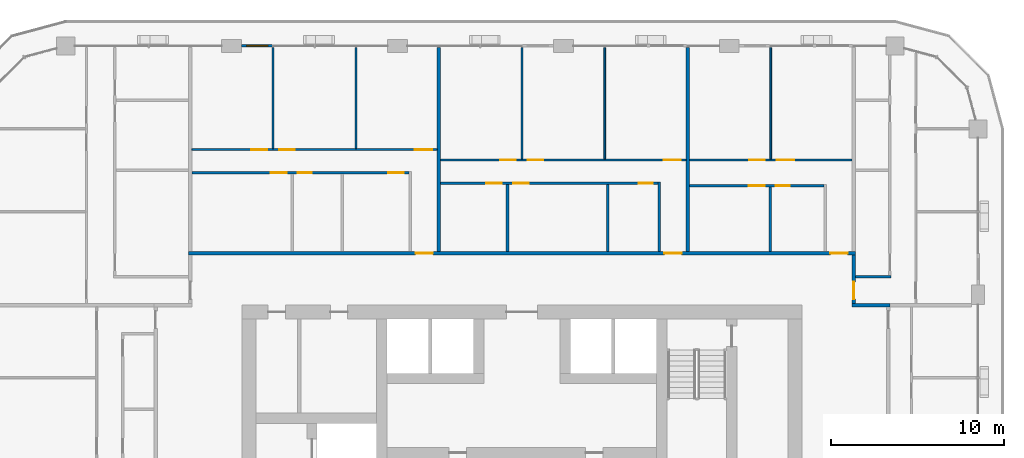
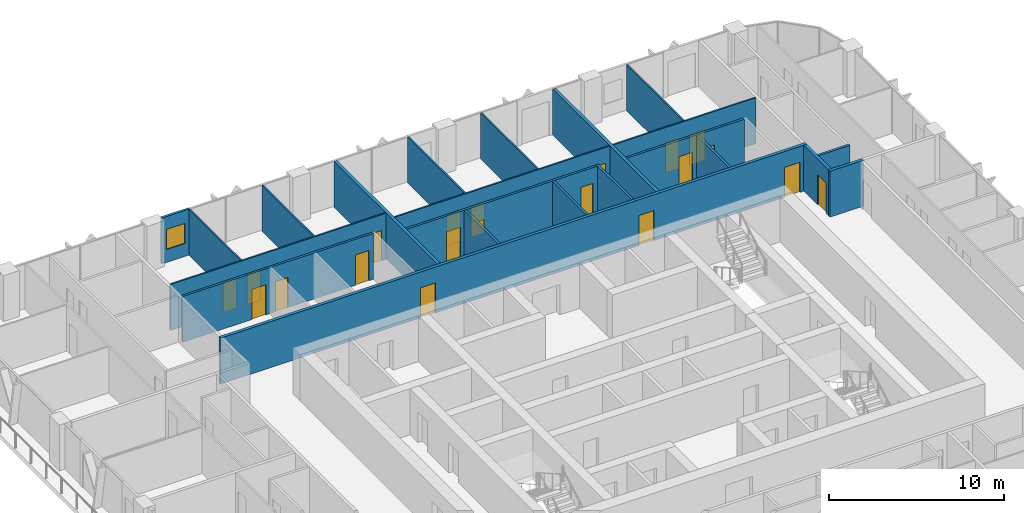
# One storey, part 14 of 22: 22 walls, 20 doors, 1 window, 21 openings.
"""IFC4 building model written with IfcOpenShell, lengths in metres."""

from ifc_helpers import new_model, si_unit, direction, frame, frame_2d, origin, place, context, subcontext, project, spatial, rectangle, extrude, material, layer, layer_set, type_object, element, fill, save


model = new_model("IFC4")

# Units and contexts
model_context = context("Model", 3, precision=1e-05, world=origin(), true_north=direction((0.0, 1.0)))
body_context = subcontext(model_context, "Body", "Model", "MODEL_VIEW")
ifc_project = project(units=[si_unit("LENGTHUNIT", "METRE"), si_unit("AREAUNIT", "SQUARE_METRE"), si_unit("VOLUMEUNIT", "CUBIC_METRE"), si_unit("PLANEANGLEUNIT", "RADIAN"), si_unit("MASSUNIT", "GRAM", prefix="KILO")], contexts=[model_context])

# Site, building, storey
site_placement = place(None, origin())
site = spatial("IfcSite", under=ifc_project, at=site_placement, CompositionType="ELEMENT")
building_placement = place(site_placement, origin())
building = spatial("IfcBuilding", under=site, at=building_placement, Name="Madar Terraces", CompositionType="ELEMENT")
storey_placement = place(building_placement, frame((0.0, 0.0, 119.10009765625)))
storey = spatial("IfcBuildingStorey", under=building, at=storey_placement, Name="L30", CompositionType="ELEMENT", Elevation=119.10009765625)

# Wall, opening, window
ifc_material_1 = material(Name="Aluminium composite panel, black, over insulated backing", Category="aluminium")
ifc_layer_1 = layer(ifc_material_1, 0.14990234375)
ifc_layer_set_1 = layer_set([ifc_layer_1], Name="Facade bay panel 150")
wall_type_1 = type_object("IfcWallType", Name="Facade bay panel 150", PredefinedType="SOLIDWALL", material=ifc_layer_set_1)
wall_1_placement = place(storey_placement, frame((16.800048828125, 52.800048828125, 0.0), z_axis=(0.0, 0.0, 1.0), x_axis=(-1.0, 0.0, 0.0)))
wall_1 = element("IfcWall", 1, at=wall_1_placement, inside=storey, type_object=wall_type_1, Name="Facade bay panel", PredefinedType="SOLIDWALL", context=body_context, shape_type="SweptSolid", body=[
    extrude(rectangle(XDim=1.824951171875, YDim=0.14990234375, at=frame_2d((0.91259765625, 0.0))), origin(), (0.0, 0.0, 1.0), 3.199951171875),
])
opening_1_placement = place(wall_1_placement, frame((0.3125, 0.0, 0.89990234375)))
opening_1 = element("IfcOpeningElement", 2, at=opening_1_placement, cuts=wall_1, Name="Opening W1", PredefinedType="OPENING", context=body_context, shape_type="SweptSolid", body=[
    extrude(rectangle(XDim=1.199951171875, YDim=1.39990234375, at=frame_2d((0.60009765625, 0.699951171875))), frame((0.0, 0.0849609375, 0.0), z_axis=(0.0, -1.0, 0.0), x_axis=(1.0, 0.0, 0.0)), (0.0, 0.0, 1.0), 0.169921875),
])
ifc_material_2 = material(Name="Glass, clear, with black aluminium frame", Category="aluminium")
window_type = type_object("IfcWindowType", Name="Vent window 1200 x 1400", PartitioningType="SINGLE_PANEL", PredefinedType="WINDOW", material=ifc_material_2)
window_placement = place(opening_1_placement, origin())
window = element("IfcWindow", 3, at=window_placement, inside=storey, type_object=window_type, Name="Operable vent window", OverallHeight=1.39990234375, OverallWidth=1.199951171875, PartitioningType="SINGLE_PANEL", PredefinedType="WINDOW", context=body_context, shape_type="SweptSolid", body=[
    extrude(rectangle(XDim=1.199951171875, YDim=1.39990234375, at=frame_2d((0.60009765625, 0.699951171875))), frame((0.0, 0.030029296875, 0.0), z_axis=(0.0, -1.0, 0.0), x_axis=(1.0, 0.0, 0.0)), (0.0, 0.0, 1.0), 0.06005859375),
])
fill(opening_1, window)

# Wall
ifc_material_3 = material(Name="Gypsum board on steel studs", Category="steel")
ifc_layer_2 = layer(ifc_material_3, 0.10009765625)
ifc_layer_set_2 = layer_set([ifc_layer_2], Name="Flat partition 100")
wall_type_2 = type_object("IfcWallType", Name="Flat partition 100", PredefinedType="PARTITIONING", material=ifc_layer_set_2)
wall_2_placement = place(storey_placement, frame((45.60009765625, 46.25, 0.0), z_axis=(0.0, 0.0, 1.0), x_axis=(0.0, 1.0, 0.0)))
element("IfcWall", 4, at=wall_2_placement, inside=storey, type_object=wall_type_2, Name="Flat partition 100", PredefinedType="PARTITIONING", context=body_context, shape_type="SweptSolid", body=[
    extrude(rectangle(XDim=6.449951171875, YDim=0.10009765625, at=frame_2d((3.22509765625, 0.0))), origin(), (0.0, 0.0, 1.0), 3.199951171875),
])

# Wall, openings, doors
wall_3_placement = place(storey_placement, frame((40.89990234375, 46.199951171875, 0.0), z_axis=(0.0, 0.0, 1.0), x_axis=(1.0, 0.0, 0.0)))
wall_3 = element("IfcWall", 5, at=wall_3_placement, inside=storey, type_object=wall_type_2, Name="Flat partition 100", PredefinedType="PARTITIONING", context=body_context, shape_type="SweptSolid", body=[
    extrude(rectangle(XDim=9.400146484375, YDim=0.10009765625, at=frame_2d((4.7001953125, 0.0))), origin(), (0.0, 0.0, 1.0), 3.199951171875),
])
opening_2_placement = place(wall_3_placement, frame((5.050048828125, 0.0, 0.0)))
opening_2 = element("IfcOpeningElement", 6, at=opening_2_placement, cuts=wall_3, Name="Opening D3", PredefinedType="OPENING", context=body_context, shape_type="SweptSolid", body=[
    extrude(rectangle(XDim=1.0, YDim=2.10009765625, at=frame_2d((0.5, 1.050048828125))), frame((0.0, 0.06005859375, 0.0), z_axis=(0.0, -1.0, 0.0), x_axis=(1.0, 0.0, 0.0)), (0.0, 0.0, 1.0), 0.1201171875),
])
opening_3_placement = place(wall_3_placement, frame((3.449951171875, 0.0, 0.0)))
opening_3 = element("IfcOpeningElement", 7, at=opening_3_placement, cuts=wall_3, Name="Opening D2", PredefinedType="OPENING", context=body_context, shape_type="SweptSolid", body=[
    extrude(rectangle(XDim=0.89990234375, YDim=2.10009765625, at=frame_2d((0.449951171875, 1.050048828125))), frame((0.0, 0.06005859375, 0.0), z_axis=(0.0, -1.0, 0.0), x_axis=(1.0, 0.0, 0.0)), (0.0, 0.0, 1.0), 0.1201171875),
])
ifc_material_4 = material(Name="Timber door leaf", Category="wood")
door_type_1 = type_object("IfcDoorType", Name="Flat living room door 1000", OperationType="NOTDEFINED", PredefinedType="DOOR", material=ifc_material_4)
door_1_placement = place(opening_2_placement, origin())
door_1 = element("IfcDoor", 8, at=door_1_placement, inside=storey, type_object=door_type_1, Name="Flat living room door 1000", OperationType="SINGLE_SWING_LEFT", OverallHeight=2.10009765625, OverallWidth=1.0, PredefinedType="DOOR", context=body_context, shape_type="SweptSolid", body=[
    extrude(rectangle(XDim=1.0, YDim=2.10009765625, at=frame_2d((0.5, 1.050048828125))), frame((0.0, 0.02490234375, 0.0), z_axis=(0.0, -1.0, 0.0), x_axis=(1.0, 0.0, 0.0)), (0.0, 0.0, 1.0), 0.050048828125),
])
fill(opening_2, door_1)
ifc_material_5 = material(Name="Timber door leaf", Category="wood")
door_type_2 = type_object("IfcDoorType", Name="Flat room door 900", OperationType="NOTDEFINED", PredefinedType="DOOR", material=ifc_material_5)
door_2_placement = place(opening_3_placement, origin())
door_2 = element("IfcDoor", 9, at=door_2_placement, inside=storey, type_object=door_type_2, Name="Flat room door 900", OperationType="SINGLE_SWING_RIGHT", OverallHeight=2.10009765625, OverallWidth=0.89990234375, PredefinedType="DOOR", context=body_context, shape_type="SweptSolid", body=[
    extrude(rectangle(XDim=0.89990234375, YDim=2.10009765625, at=frame_2d((0.449951171875, 1.050048828125))), frame((0.0, 0.02490234375, 0.0), z_axis=(0.0, -1.0, 0.0), x_axis=(1.0, 0.0, 0.0)), (0.0, 0.0, 1.0), 0.050048828125),
])
fill(opening_3, door_2)

# Walls
for number, where, z_axis, x_axis, name in (
    (10, (36.0, 46.25, 0.0), (0.0, 0.0, 1.0), (0.0, 1.0, 0.0), "Flat partition 100"),
    (11, (31.199951171875, 46.25, 0.0), (0.0, 0.0, 1.0), (0.0, 1.0, 0.0), "Flat partition 100"),
):
    element("IfcWall", number, at=place(storey_placement, frame(where, z_axis=z_axis, x_axis=x_axis)), inside=storey, type_object=wall_type_2, Name=name, PredefinedType="PARTITIONING", context=body_context, shape_type="SweptSolid", body=[
        extrude(rectangle(XDim=6.449951171875, YDim=0.10009765625, at=frame_2d((3.22509765625, 0.0))), origin(), (0.0, 0.0, 1.0), 3.199951171875),
    ])

# Wall, openings, doors
wall_4_placement = place(storey_placement, frame((26.5, 46.199951171875, 0.0), z_axis=(0.0, 0.0, 1.0), x_axis=(1.0, 0.0, 0.0)))
wall_4 = element("IfcWall", 12, at=wall_4_placement, inside=storey, type_object=wall_type_2, Name="Flat partition 100", PredefinedType="PARTITIONING", context=body_context, shape_type="SweptSolid", body=[
    extrude(rectangle(XDim=14.199951171875, YDim=0.10009765625, at=frame_2d((7.10009765625, 0.0))), origin(), (0.0, 0.0, 1.0), 3.199951171875),
])
opening_4_placement = place(wall_4_placement, frame((12.89990234375, 0.0, 0.0)))
opening_4 = element("IfcOpeningElement", 13, at=opening_4_placement, cuts=wall_4, Name="Opening D3", PredefinedType="OPENING", context=body_context, shape_type="SweptSolid", body=[
    extrude(rectangle(XDim=1.0, YDim=2.10009765625, at=frame_2d((0.5, 1.050048828125))), frame((0.0, 0.06005859375, 0.0), z_axis=(0.0, -1.0, 0.0), x_axis=(1.0, 0.0, 0.0)), (0.0, 0.0, 1.0), 0.1201171875),
])
opening_5_placement = place(wall_4_placement, frame((5.050048828125, 0.0, 0.0)))
opening_5 = element("IfcOpeningElement", 14, at=opening_5_placement, cuts=wall_4, Name="Opening D2", PredefinedType="OPENING", context=body_context, shape_type="SweptSolid", body=[
    extrude(rectangle(XDim=0.89990234375, YDim=2.10009765625, at=frame_2d((0.449951171875, 1.050048828125))), frame((0.0, 0.06005859375, 0.0), z_axis=(0.0, -1.0, 0.0), x_axis=(1.0, 0.0, 0.0)), (0.0, 0.0, 1.0), 0.1201171875),
])
opening_6_placement = place(wall_4_placement, frame((3.449951171875, 0.0, 0.0)))
opening_6 = element("IfcOpeningElement", 15, at=opening_6_placement, cuts=wall_4, Name="Opening D2", PredefinedType="OPENING", context=body_context, shape_type="SweptSolid", body=[
    extrude(rectangle(XDim=0.89990234375, YDim=2.10009765625, at=frame_2d((0.449951171875, 1.050048828125))), frame((0.0, 0.06005859375, 0.0), z_axis=(0.0, -1.0, 0.0), x_axis=(1.0, 0.0, 0.0)), (0.0, 0.0, 1.0), 0.1201171875),
])
door_3_placement = place(opening_4_placement, origin())
door_3 = element("IfcDoor", 16, at=door_3_placement, inside=storey, type_object=door_type_1, Name="Flat living room door 1000", OperationType="SINGLE_SWING_RIGHT", OverallHeight=2.10009765625, OverallWidth=1.0, PredefinedType="DOOR", context=body_context, shape_type="SweptSolid", body=[
    extrude(rectangle(XDim=1.0, YDim=2.10009765625, at=frame_2d((0.5, 1.050048828125))), frame((0.0, 0.02490234375, 0.0), z_axis=(0.0, -1.0, 0.0), x_axis=(1.0, 0.0, 0.0)), (0.0, 0.0, 1.0), 0.050048828125),
])
fill(opening_4, door_3)
door_4_placement = place(opening_5_placement, origin())
door_4 = element("IfcDoor", 17, at=door_4_placement, inside=storey, type_object=door_type_2, Name="Flat room door 900", OperationType="SINGLE_SWING_LEFT", OverallHeight=2.10009765625, OverallWidth=0.89990234375, PredefinedType="DOOR", context=body_context, shape_type="SweptSolid", body=[
    extrude(rectangle(XDim=0.89990234375, YDim=2.10009765625, at=frame_2d((0.449951171875, 1.050048828125))), frame((0.0, 0.02490234375, 0.0), z_axis=(0.0, -1.0, 0.0), x_axis=(1.0, 0.0, 0.0)), (0.0, 0.0, 1.0), 0.050048828125),
])
fill(opening_5, door_4)
door_5_placement = place(opening_6_placement, origin())
door_5 = element("IfcDoor", 18, at=door_5_placement, inside=storey, type_object=door_type_2, Name="Flat room door 900", OperationType="SINGLE_SWING_RIGHT", OverallHeight=2.10009765625, OverallWidth=0.89990234375, PredefinedType="DOOR", context=body_context, shape_type="SweptSolid", body=[
    extrude(rectangle(XDim=0.89990234375, YDim=2.10009765625, at=frame_2d((0.449951171875, 1.050048828125))), frame((0.0, 0.02490234375, 0.0), z_axis=(0.0, -1.0, 0.0), x_axis=(1.0, 0.0, 0.0)), (0.0, 0.0, 1.0), 0.050048828125),
])
fill(opening_6, door_5)

# Walls
for number, where, z_axis, x_axis, name in (
    (19, (21.60009765625, 46.85009765625, 0.0), (0.0, 0.0, 1.0), (0.0, 1.0, 0.0), "Flat partition 100"),
    (20, (16.800048828125, 46.85009765625, 0.0), (0.0, 0.0, 1.0), (0.0, 1.0, 0.0), "Flat partition 100"),
):
    element("IfcWall", number, at=place(storey_placement, frame(where, z_axis=z_axis, x_axis=x_axis)), inside=storey, type_object=wall_type_2, Name=name, PredefinedType="PARTITIONING", context=body_context, shape_type="SweptSolid", body=[
        extrude(rectangle(XDim=5.849853515625, YDim=0.10009765625, at=frame_2d((2.9248046875, 0.0))), origin(), (0.0, 0.0, 1.0), 3.199951171875),
    ])

# Wall, openings, doors
wall_5_placement = place(storey_placement, frame((12.10009765625, 46.800048828125, 0.0), z_axis=(0.0, 0.0, 1.0), x_axis=(1.0, 0.0, 0.0)))
wall_5 = element("IfcWall", 21, at=wall_5_placement, inside=storey, type_object=wall_type_2, Name="Flat partition 100", PredefinedType="PARTITIONING", context=body_context, shape_type="SweptSolid", body=[
    extrude(rectangle(XDim=14.199951171875, YDim=0.10009765625, at=frame_2d((7.10009765625, 0.0))), origin(), (0.0, 0.0, 1.0), 3.199951171875),
])
opening_7_placement = place(wall_5_placement, frame((12.89990234375, 0.0, 0.0)))
opening_7 = element("IfcOpeningElement", 22, at=opening_7_placement, cuts=wall_5, Name="Opening D3", PredefinedType="OPENING", context=body_context, shape_type="SweptSolid", body=[
    extrude(rectangle(XDim=1.0, YDim=2.10009765625, at=frame_2d((0.5, 1.050048828125))), frame((0.0, 0.06005859375, 0.0), z_axis=(0.0, -1.0, 0.0), x_axis=(1.0, 0.0, 0.0)), (0.0, 0.0, 1.0), 0.1201171875),
])
opening_8_placement = place(wall_5_placement, frame((5.050048828125, 0.0, 0.0)))
opening_8 = element("IfcOpeningElement", 23, at=opening_8_placement, cuts=wall_5, Name="Opening D2", PredefinedType="OPENING", context=body_context, shape_type="SweptSolid", body=[
    extrude(rectangle(XDim=0.89990234375, YDim=2.10009765625, at=frame_2d((0.449951171875, 1.050048828125))), frame((0.0, 0.06005859375, 0.0), z_axis=(0.0, -1.0, 0.0), x_axis=(1.0, 0.0, 0.0)), (0.0, 0.0, 1.0), 0.1201171875),
])
opening_9_placement = place(wall_5_placement, frame((3.449951171875, 0.0, 0.0)))
opening_9 = element("IfcOpeningElement", 24, at=opening_9_placement, cuts=wall_5, Name="Opening D2", PredefinedType="OPENING", context=body_context, shape_type="SweptSolid", body=[
    extrude(rectangle(XDim=0.89990234375, YDim=2.10009765625, at=frame_2d((0.449951171875, 1.050048828125))), frame((0.0, 0.06005859375, 0.0), z_axis=(0.0, -1.0, 0.0), x_axis=(1.0, 0.0, 0.0)), (0.0, 0.0, 1.0), 0.1201171875),
])
door_6_placement = place(opening_7_placement, origin())
door_6 = element("IfcDoor", 25, at=door_6_placement, inside=storey, type_object=door_type_1, Name="Flat living room door 1000", OperationType="SINGLE_SWING_RIGHT", OverallHeight=2.10009765625, OverallWidth=1.0, PredefinedType="DOOR", context=body_context, shape_type="SweptSolid", body=[
    extrude(rectangle(XDim=1.0, YDim=2.10009765625, at=frame_2d((0.5, 1.050048828125))), frame((0.0, 0.02490234375, 0.0), z_axis=(0.0, -1.0, 0.0), x_axis=(1.0, 0.0, 0.0)), (0.0, 0.0, 1.0), 0.050048828125),
])
fill(opening_7, door_6)
door_7_placement = place(opening_8_placement, origin())
door_7 = element("IfcDoor", 26, at=door_7_placement, inside=storey, type_object=door_type_2, Name="Flat room door 900", OperationType="SINGLE_SWING_LEFT", OverallHeight=2.10009765625, OverallWidth=0.89990234375, PredefinedType="DOOR", context=body_context, shape_type="SweptSolid", body=[
    extrude(rectangle(XDim=0.89990234375, YDim=2.10009765625, at=frame_2d((0.449951171875, 1.050048828125))), frame((0.0, 0.02490234375, 0.0), z_axis=(0.0, -1.0, 0.0), x_axis=(1.0, 0.0, 0.0)), (0.0, 0.0, 1.0), 0.050048828125),
])
fill(opening_8, door_7)
door_8_placement = place(opening_9_placement, origin())
door_8 = element("IfcDoor", 27, at=door_8_placement, inside=storey, type_object=door_type_2, Name="Flat room door 900", OperationType="SINGLE_SWING_RIGHT", OverallHeight=2.10009765625, OverallWidth=0.89990234375, PredefinedType="DOOR", context=body_context, shape_type="SweptSolid", body=[
    extrude(rectangle(XDim=0.89990234375, YDim=2.10009765625, at=frame_2d((0.449951171875, 1.050048828125))), frame((0.0, 0.02490234375, 0.0), z_axis=(0.0, -1.0, 0.0), x_axis=(1.0, 0.0, 0.0)), (0.0, 0.0, 1.0), 0.050048828125),
])
fill(opening_9, door_8)

# Wall
ifc_material_6 = material(Name="Lightweight blockwork", Category="masonry")
ifc_layer_3 = layer(ifc_material_6, 0.199951171875)
ifc_layer_set_3 = layer_set([ifc_layer_3], Name="Flat party and entrance wall 200")
wall_type_3 = type_object("IfcWallType", Name="Flat party and entrance wall 200", PredefinedType="PARTITIONING", material=ifc_layer_set_3)
wall_6_placement = place(storey_placement, frame((52.5, 37.800048828125, 0.0), z_axis=(0.0, 0.0, 1.0), x_axis=(-1.0, 0.0, 0.0)))
element("IfcWall", 28, at=wall_6_placement, inside=storey, type_object=wall_type_3, Name="Flat party and entrance wall 200", PredefinedType="PARTITIONING", context=body_context, shape_type="SweptSolid", body=[
    extrude(rectangle(XDim=2.199951171875, YDim=0.199951171875, at=frame_2d((1.10009765625, 0.0))), origin(), (0.0, 0.0, 1.0), 3.199951171875),
])

# Wall, opening, door
wall_7_placement = place(storey_placement, frame((50.39990234375, 40.699951171875, 0.0), z_axis=(0.0, 0.0, 1.0), x_axis=(0.0, -1.0, 0.0)))
wall_7 = element("IfcWall", 29, at=wall_7_placement, inside=storey, type_object=wall_type_3, Name="Flat party and entrance wall 200", PredefinedType="PARTITIONING", context=body_context, shape_type="SweptSolid", body=[
    extrude(rectangle(XDim=2.800048828125, YDim=0.199951171875, at=frame_2d((1.39990234375, 0.0))), origin(), (0.0, 0.0, 1.0), 3.199951171875),
])
opening_10_placement = place(wall_7_placement, frame((1.550048828125, 0.0, 0.0)))
opening_10 = element("IfcOpeningElement", 30, at=opening_10_placement, cuts=wall_7, Name="Opening D1", PredefinedType="OPENING", context=body_context, shape_type="SweptSolid", body=[
    extrude(rectangle(XDim=1.0, YDim=2.10009765625, at=frame_2d((0.5, 1.050048828125))), frame((0.0, 0.10986328125, 0.0), z_axis=(0.0, -1.0, 0.0), x_axis=(1.0, 0.0, 0.0)), (0.0, 0.0, 1.0), 0.219970703125),
])
ifc_material_7 = material(Name="Timber fire door leaf", Category="wood")
door_type_3 = type_object("IfcDoorType", Name="Flat entrance door 1000 FD30S", OperationType="NOTDEFINED", PredefinedType="DOOR", material=ifc_material_7)
door_9_placement = place(opening_10_placement, origin())
door_9 = element("IfcDoor", 31, at=door_9_placement, inside=storey, type_object=door_type_3, Name="Flat entrance door 1000 FD30S", OperationType="SINGLE_SWING_RIGHT", OverallHeight=2.10009765625, OverallWidth=1.0, PredefinedType="DOOR", context=body_context, shape_type="SweptSolid", body=[
    extrude(rectangle(XDim=1.0, YDim=2.10009765625, at=frame_2d((0.5, 1.050048828125))), frame((0.0, 0.02490234375, 0.0), z_axis=(0.0, -1.0, 0.0), x_axis=(1.0, 0.0, 0.0)), (0.0, 0.0, 1.0), 0.050048828125),
])
fill(opening_10, door_9)

# Wall, openings, doors
wall_8_placement = place(storey_placement, frame((11.89990234375, 40.800048828125, 0.0), z_axis=(0.0, 0.0, 1.0), x_axis=(1.0, 0.0, 0.0)))
wall_8 = element("IfcWall", 32, at=wall_8_placement, inside=storey, type_object=wall_type_3, Name="Flat party and entrance wall 200", PredefinedType="PARTITIONING", context=body_context, shape_type="SweptSolid", body=[
    extrude(rectangle(XDim=38.60009765625, YDim=0.199951171875, at=frame_2d((19.300048828125, 0.0))), origin(), (0.0, 0.0, 1.0), 3.199951171875),
])
opening_11_placement = place(wall_8_placement, frame((37.14990234375, 0.0, 0.0)))
opening_11 = element("IfcOpeningElement", 33, at=opening_11_placement, cuts=wall_8, Name="Opening D1", PredefinedType="OPENING", context=body_context, shape_type="SweptSolid", body=[
    extrude(rectangle(XDim=1.0, YDim=2.10009765625, at=frame_2d((0.5, 1.050048828125))), frame((0.0, 0.10986328125, 0.0), z_axis=(0.0, -1.0, 0.0), x_axis=(1.0, 0.0, 0.0)), (0.0, 0.0, 1.0), 0.219970703125),
])
opening_12_placement = place(wall_8_placement, frame((27.550048828125, 0.0, 0.0)))
opening_12 = element("IfcOpeningElement", 34, at=opening_12_placement, cuts=wall_8, Name="Opening D1", PredefinedType="OPENING", context=body_context, shape_type="SweptSolid", body=[
    extrude(rectangle(XDim=1.0, YDim=2.10009765625, at=frame_2d((0.5, 1.050048828125))), frame((0.0, 0.10986328125, 0.0), z_axis=(0.0, -1.0, 0.0), x_axis=(1.0, 0.0, 0.0)), (0.0, 0.0, 1.0), 0.219970703125),
])
opening_13_placement = place(wall_8_placement, frame((13.14990234375, 0.0, 0.0)))
opening_13 = element("IfcOpeningElement", 35, at=opening_13_placement, cuts=wall_8, Name="Opening D1", PredefinedType="OPENING", context=body_context, shape_type="SweptSolid", body=[
    extrude(rectangle(XDim=1.0, YDim=2.10009765625, at=frame_2d((0.5, 1.050048828125))), frame((0.0, 0.10986328125, 0.0), z_axis=(0.0, -1.0, 0.0), x_axis=(1.0, 0.0, 0.0)), (0.0, 0.0, 1.0), 0.219970703125),
])
door_10_placement = place(opening_11_placement, origin())
door_10 = element("IfcDoor", 36, at=door_10_placement, inside=storey, type_object=door_type_3, Name="Flat entrance door 1000 FD30S", OperationType="SINGLE_SWING_RIGHT", OverallHeight=2.10009765625, OverallWidth=1.0, PredefinedType="DOOR", context=body_context, shape_type="SweptSolid", body=[
    extrude(rectangle(XDim=1.0, YDim=2.10009765625, at=frame_2d((0.5, 1.050048828125))), frame((0.0, 0.02490234375, 0.0), z_axis=(0.0, -1.0, 0.0), x_axis=(1.0, 0.0, 0.0)), (0.0, 0.0, 1.0), 0.050048828125),
])
fill(opening_11, door_10)
door_11_placement = place(opening_12_placement, origin())
door_11 = element("IfcDoor", 37, at=door_11_placement, inside=storey, type_object=door_type_3, Name="Flat entrance door 1000 FD30S", OperationType="SINGLE_SWING_RIGHT", OverallHeight=2.10009765625, OverallWidth=1.0, PredefinedType="DOOR", context=body_context, shape_type="SweptSolid", body=[
    extrude(rectangle(XDim=1.0, YDim=2.10009765625, at=frame_2d((0.5, 1.050048828125))), frame((0.0, 0.02490234375, 0.0), z_axis=(0.0, -1.0, 0.0), x_axis=(1.0, 0.0, 0.0)), (0.0, 0.0, 1.0), 0.050048828125),
])
fill(opening_12, door_11)
door_12_placement = place(opening_13_placement, origin())
door_12 = element("IfcDoor", 38, at=door_12_placement, inside=storey, type_object=door_type_3, Name="Flat entrance door 1000 FD30S", OperationType="SINGLE_SWING_RIGHT", OverallHeight=2.10009765625, OverallWidth=1.0, PredefinedType="DOOR", context=body_context, shape_type="SweptSolid", body=[
    extrude(rectangle(XDim=1.0, YDim=2.10009765625, at=frame_2d((0.5, 1.050048828125))), frame((0.0, 0.02490234375, 0.0), z_axis=(0.0, -1.0, 0.0), x_axis=(1.0, 0.0, 0.0)), (0.0, 0.0, 1.0), 0.050048828125),
])
fill(opening_13, door_12)

# Walls
for number, where, z_axis, x_axis, name in (
    (39, (40.800048828125, 52.699951171875, 0.0), (0.0, 0.0, 1.0), (0.0, -1.0, 0.0), "Flat party and entrance wall 200"),
    (40, (26.39990234375, 52.699951171875, 0.0), (0.0, 0.0, 1.0), (0.0, -1.0, 0.0), "Flat party and entrance wall 200"),
):
    element("IfcWall", number, at=place(storey_placement, frame(where, z_axis=z_axis, x_axis=x_axis)), inside=storey, type_object=wall_type_3, Name=name, PredefinedType="PARTITIONING", context=body_context, shape_type="SweptSolid", body=[
        extrude(rectangle(XDim=11.800048828125, YDim=0.199951171875, at=frame_2d((5.89990234375, 0.0))), origin(), (0.0, 0.0, 1.0), 3.199951171875),
    ])
ifc_material_8 = material(Name="Lightweight blockwork", Category="masonry")
ifc_layer_4 = layer(ifc_material_8, 0.14990234375)
ifc_layer_set_4 = layer_set([ifc_layer_4], Name="Flat wet-room partition 150")
wall_type_4 = type_object("IfcWallType", Name="Flat wet-room partition 150", PredefinedType="PARTITIONING", material=ifc_layer_set_4)
wall_9_placement = place(storey_placement, frame((50.5, 39.449951171875, 0.0), z_axis=(0.0, 0.0, 1.0), x_axis=(1.0, 0.0, 0.0)))
element("IfcWall", 41, at=wall_9_placement, inside=storey, type_object=wall_type_4, Name="Flat wet-room partition 150", PredefinedType="PARTITIONING", context=body_context, shape_type="SweptSolid", body=[
    extrude(rectangle(XDim=2.074951171875, YDim=0.14990234375, at=frame_2d((1.03759765625, 0.0))), origin(), (0.0, 0.0, 1.0), 3.199951171875),
])
wall_10_placement = place(storey_placement, frame((45.56494140625, 40.89990234375, 0.0), z_axis=(0.0, 0.0, 1.0), x_axis=(0.0, 1.0, 0.0)))
element("IfcWall", 42, at=wall_10_placement, inside=storey, type_object=wall_type_4, Name="Flat wet-room partition 150", PredefinedType="PARTITIONING", context=body_context, shape_type="SweptSolid", body=[
    extrude(rectangle(XDim=3.72509765625, YDim=0.14990234375, at=frame_2d((1.862548828125, 0.0))), origin(), (0.0, 0.0, 1.0), 3.199951171875),
])

# Wall, openings, doors
wall_11_placement = place(storey_placement, frame((48.675048828125, 44.699951171875, 0.0), z_axis=(0.0, 0.0, 1.0), x_axis=(-1.0, 0.0, 0.0)))
wall_11 = element("IfcWall", 43, at=wall_11_placement, inside=storey, type_object=wall_type_4, Name="Flat wet-room partition 150", PredefinedType="PARTITIONING", context=body_context, shape_type="SweptSolid", body=[
    extrude(rectangle(XDim=7.775146484375, YDim=0.14990234375, at=frame_2d((3.8876953125, 0.0))), origin(), (0.0, 0.0, 1.0), 3.199951171875),
])
opening_14_placement = place(wall_11_placement, frame((1.985107421875, 0.0, 0.0)))
opening_14 = element("IfcOpeningElement", 44, at=opening_14_placement, cuts=wall_11, Name="Opening D4", PredefinedType="OPENING", context=body_context, shape_type="SweptSolid", body=[
    extrude(rectangle(XDim=0.800048828125, YDim=2.10009765625, at=frame_2d((0.39990234375, 1.050048828125))), frame((0.0, 0.0849609375, 0.0), z_axis=(0.0, -1.0, 0.0), x_axis=(1.0, 0.0, 0.0)), (0.0, 0.0, 1.0), 0.169921875),
])
opening_15_placement = place(wall_11_placement, frame((3.43505859375, 0.0, 0.0)))
opening_15 = element("IfcOpeningElement", 45, at=opening_15_placement, cuts=wall_11, Name="Opening D2", PredefinedType="OPENING", context=body_context, shape_type="SweptSolid", body=[
    extrude(rectangle(XDim=0.89990234375, YDim=2.10009765625, at=frame_2d((0.449951171875, 1.050048828125))), frame((0.0, 0.0849609375, 0.0), z_axis=(0.0, -1.0, 0.0), x_axis=(1.0, 0.0, 0.0)), (0.0, 0.0, 1.0), 0.169921875),
])
ifc_material_9 = material(Name="Timber door leaf", Category="wood")
door_type_4 = type_object("IfcDoorType", Name="Flat bathroom door 800", OperationType="NOTDEFINED", PredefinedType="DOOR", material=ifc_material_9)
door_13_placement = place(opening_14_placement, origin())
door_13 = element("IfcDoor", 46, at=door_13_placement, inside=storey, type_object=door_type_4, Name="Flat bathroom door 800", OperationType="SINGLE_SWING_RIGHT", OverallHeight=2.10009765625, OverallWidth=0.800048828125, PredefinedType="DOOR", context=body_context, shape_type="SweptSolid", body=[
    extrude(rectangle(XDim=0.800048828125, YDim=2.10009765625, at=frame_2d((0.39990234375, 1.050048828125))), frame((0.0, 0.02490234375, 0.0), z_axis=(0.0, -1.0, 0.0), x_axis=(1.0, 0.0, 0.0)), (0.0, 0.0, 1.0), 0.050048828125),
])
fill(opening_14, door_13)
door_14_placement = place(opening_15_placement, origin())
door_14 = element("IfcDoor", 47, at=door_14_placement, inside=storey, type_object=door_type_2, Name="Flat room door 900", OperationType="SINGLE_SWING_LEFT", OverallHeight=2.10009765625, OverallWidth=0.89990234375, PredefinedType="DOOR", context=body_context, shape_type="SweptSolid", body=[
    extrude(rectangle(XDim=0.89990234375, YDim=2.10009765625, at=frame_2d((0.449951171875, 1.050048828125))), frame((0.0, 0.02490234375, 0.0), z_axis=(0.0, -1.0, 0.0), x_axis=(1.0, 0.0, 0.0)), (0.0, 0.0, 1.0), 0.050048828125),
])
fill(opening_15, door_14)

# Walls
for number, where, z_axis, x_axis, name in (
    (48, (36.173095703125, 40.89990234375, 0.0), (0.0, 0.0, 1.0), (0.0, 1.0, 0.0), "Flat wet-room partition 150"),
    (49, (30.369384765625, 40.89990234375, 0.0), (0.0, 0.0, 1.0), (0.0, 1.0, 0.0), "Flat wet-room partition 150"),
):
    element("IfcWall", number, at=place(storey_placement, frame(where, z_axis=z_axis, x_axis=x_axis)), inside=storey, type_object=wall_type_4, Name=name, PredefinedType="PARTITIONING", context=body_context, shape_type="SweptSolid", body=[
        extrude(rectangle(XDim=3.875, YDim=0.14990234375, at=frame_2d((1.9375, 0.0))), origin(), (0.0, 0.0, 1.0), 3.199951171875),
    ])
wall_12_placement = place(storey_placement, frame((39.14990234375, 40.89990234375, 0.0), z_axis=(0.0, 0.0, 1.0), x_axis=(0.0, 1.0, 0.0)))
element("IfcWall", 50, at=wall_12_placement, inside=storey, type_object=wall_type_4, Name="Flat wet-room partition 150", PredefinedType="PARTITIONING", context=body_context, shape_type="SweptSolid", body=[
    extrude(rectangle(XDim=4.025146484375, YDim=0.14990234375, at=frame_2d((2.0126953125, 0.0))), origin(), (0.0, 0.0, 1.0), 3.199951171875),
])

# Wall, openings, doors
wall_13_placement = place(storey_placement, frame((39.074951171875, 44.85009765625, 0.0), z_axis=(0.0, 0.0, 1.0), x_axis=(-1.0, 0.0, 0.0)))
wall_13 = element("IfcWall", 51, at=wall_13_placement, inside=storey, type_object=wall_type_4, Name="Flat wet-room partition 150", PredefinedType="PARTITIONING", context=body_context, shape_type="SweptSolid", body=[
    extrude(rectangle(XDim=12.574951171875, YDim=0.14990234375, at=frame_2d((6.28759765625, 0.0))), origin(), (0.0, 0.0, 1.0), 3.199951171875),
])
opening_16_placement = place(wall_13_placement, frame((0.300048828125, 0.0, 0.0)))
opening_16 = element("IfcOpeningElement", 52, at=opening_16_placement, cuts=wall_13, Name="Opening D4", PredefinedType="OPENING", context=body_context, shape_type="SweptSolid", body=[
    extrude(rectangle(XDim=0.800048828125, YDim=2.10009765625, at=frame_2d((0.39990234375, 1.050048828125))), frame((0.0, 0.0849609375, 0.0), z_axis=(0.0, -1.0, 0.0), x_axis=(1.0, 0.0, 0.0)), (0.0, 0.0, 1.0), 0.169921875),
])
opening_17_placement = place(wall_13_placement, frame((7.480712890625, 0.0, 0.0)))
opening_17 = element("IfcOpeningElement", 53, at=opening_17_placement, cuts=wall_13, Name="Opening D2", PredefinedType="OPENING", context=body_context, shape_type="SweptSolid", body=[
    extrude(rectangle(XDim=0.89990234375, YDim=2.10009765625, at=frame_2d((0.449951171875, 1.050048828125))), frame((0.0, 0.0849609375, 0.0), z_axis=(0.0, -1.0, 0.0), x_axis=(1.0, 0.0, 0.0)), (0.0, 0.0, 1.0), 0.169921875),
])
opening_18_placement = place(wall_13_placement, frame((9.03076171875, 0.0, 0.0)))
opening_18 = element("IfcOpeningElement", 54, at=opening_18_placement, cuts=wall_13, Name="Opening D5", PredefinedType="OPENING", context=body_context, shape_type="SweptSolid", body=[
    extrude(rectangle(XDim=0.89990234375, YDim=2.10009765625, at=frame_2d((0.449951171875, 1.050048828125))), frame((0.0, 0.0849609375, 0.0), z_axis=(0.0, -1.0, 0.0), x_axis=(1.0, 0.0, 0.0)), (0.0, 0.0, 1.0), 0.169921875),
])
ifc_material_10 = material(Name="Timber door leaf", Category="wood")
door_type_5 = type_object("IfcDoorType", Name="Flat accessible bathroom door 900", OperationType="NOTDEFINED", PredefinedType="DOOR", material=ifc_material_10)
door_15_placement = place(opening_18_placement, origin())
door_15 = element("IfcDoor", 55, at=door_15_placement, inside=storey, type_object=door_type_5, Name="Flat accessible bathroom door 900", OperationType="SINGLE_SWING_LEFT", OverallHeight=2.10009765625, OverallWidth=0.89990234375, PredefinedType="DOOR", context=body_context, shape_type="SweptSolid", body=[
    extrude(rectangle(XDim=0.89990234375, YDim=2.10009765625, at=frame_2d((0.449951171875, 1.050048828125))), frame((0.0, 0.02490234375, 0.0), z_axis=(0.0, -1.0, 0.0), x_axis=(1.0, 0.0, 0.0)), (0.0, 0.0, 1.0), 0.050048828125),
])
fill(opening_18, door_15)
door_16_placement = place(opening_16_placement, origin())
door_16 = element("IfcDoor", 56, at=door_16_placement, inside=storey, type_object=door_type_4, Name="Flat bathroom door 800", OperationType="SINGLE_SWING_LEFT", OverallHeight=2.10009765625, OverallWidth=0.800048828125, PredefinedType="DOOR", context=body_context, shape_type="SweptSolid", body=[
    extrude(rectangle(XDim=0.800048828125, YDim=2.10009765625, at=frame_2d((0.39990234375, 1.050048828125))), frame((0.0, 0.02490234375, 0.0), z_axis=(0.0, -1.0, 0.0), x_axis=(1.0, 0.0, 0.0)), (0.0, 0.0, 1.0), 0.050048828125),
])
fill(opening_16, door_16)
door_17_placement = place(opening_17_placement, origin())
door_17 = element("IfcDoor", 57, at=door_17_placement, inside=storey, type_object=door_type_2, Name="Flat room door 900", OperationType="SINGLE_SWING_RIGHT", OverallHeight=2.10009765625, OverallWidth=0.89990234375, PredefinedType="DOOR", context=body_context, shape_type="SweptSolid", body=[
    extrude(rectangle(XDim=0.89990234375, YDim=2.10009765625, at=frame_2d((0.449951171875, 1.050048828125))), frame((0.0, 0.02490234375, 0.0), z_axis=(0.0, -1.0, 0.0), x_axis=(1.0, 0.0, 0.0)), (0.0, 0.0, 1.0), 0.050048828125),
])
fill(opening_17, door_17)

wall_14_placement = place(storey_placement, frame((24.675048828125, 45.449951171875, 0.0), z_axis=(0.0, 0.0, 1.0), x_axis=(-1.0, 0.0, 0.0)))
wall_14 = element("IfcWall", 58, at=wall_14_placement, inside=storey, type_object=wall_type_4, Name="Flat wet-room partition 150", PredefinedType="PARTITIONING", context=body_context, shape_type="SweptSolid", body=[
    extrude(rectangle(XDim=12.574951171875, YDim=0.14990234375, at=frame_2d((6.28759765625, 0.0))), origin(), (0.0, 0.0, 1.0), 3.199951171875),
])
opening_19_placement = place(wall_14_placement, frame((0.300048828125, 0.0, 0.0)))
opening_19 = element("IfcOpeningElement", 59, at=opening_19_placement, cuts=wall_14, Name="Opening D5", PredefinedType="OPENING", context=body_context, shape_type="SweptSolid", body=[
    extrude(rectangle(XDim=0.89990234375, YDim=2.10009765625, at=frame_2d((0.449951171875, 1.050048828125))), frame((0.0, 0.0849609375, 0.0), z_axis=(0.0, -1.0, 0.0), x_axis=(1.0, 0.0, 0.0)), (0.0, 0.0, 1.0), 0.169921875),
])
opening_20_placement = place(wall_14_placement, frame((5.64599609375, 0.0, 0.0)))
opening_20 = element("IfcOpeningElement", 60, at=opening_20_placement, cuts=wall_14, Name="Opening D4", PredefinedType="OPENING", context=body_context, shape_type="SweptSolid", body=[
    extrude(rectangle(XDim=0.800048828125, YDim=2.10009765625, at=frame_2d((0.39990234375, 1.050048828125))), frame((0.0, 0.0849609375, 0.0), z_axis=(0.0, -1.0, 0.0), x_axis=(1.0, 0.0, 0.0)), (0.0, 0.0, 1.0), 0.169921875),
])
opening_21_placement = place(wall_14_placement, frame((7.09619140625, 0.0, 0.0)))
opening_21 = element("IfcOpeningElement", 61, at=opening_21_placement, cuts=wall_14, Name="Opening D2", PredefinedType="OPENING", context=body_context, shape_type="SweptSolid", body=[
    extrude(rectangle(XDim=0.89990234375, YDim=2.10009765625, at=frame_2d((0.449951171875, 1.050048828125))), frame((0.0, 0.0849609375, 0.0), z_axis=(0.0, -1.0, 0.0), x_axis=(1.0, 0.0, 0.0)), (0.0, 0.0, 1.0), 0.169921875),
])
door_18_placement = place(opening_19_placement, origin())
door_18 = element("IfcDoor", 62, at=door_18_placement, inside=storey, type_object=door_type_5, Name="Flat accessible bathroom door 900", OperationType="SINGLE_SWING_LEFT", OverallHeight=2.10009765625, OverallWidth=0.89990234375, PredefinedType="DOOR", context=body_context, shape_type="SweptSolid", body=[
    extrude(rectangle(XDim=0.89990234375, YDim=2.10009765625, at=frame_2d((0.449951171875, 1.050048828125))), frame((0.0, 0.02490234375, 0.0), z_axis=(0.0, -1.0, 0.0), x_axis=(1.0, 0.0, 0.0)), (0.0, 0.0, 1.0), 0.050048828125),
])
fill(opening_19, door_18)
door_19_placement = place(opening_20_placement, origin())
door_19 = element("IfcDoor", 63, at=door_19_placement, inside=storey, type_object=door_type_4, Name="Flat bathroom door 800", OperationType="SINGLE_SWING_RIGHT", OverallHeight=2.10009765625, OverallWidth=0.800048828125, PredefinedType="DOOR", context=body_context, shape_type="SweptSolid", body=[
    extrude(rectangle(XDim=0.800048828125, YDim=2.10009765625, at=frame_2d((0.39990234375, 1.050048828125))), frame((0.0, 0.02490234375, 0.0), z_axis=(0.0, -1.0, 0.0), x_axis=(1.0, 0.0, 0.0)), (0.0, 0.0, 1.0), 0.050048828125),
])
fill(opening_20, door_19)
door_20_placement = place(opening_21_placement, origin())
door_20 = element("IfcDoor", 64, at=door_20_placement, inside=storey, type_object=door_type_2, Name="Flat room door 900", OperationType="SINGLE_SWING_LEFT", OverallHeight=2.10009765625, OverallWidth=0.89990234375, PredefinedType="DOOR", context=body_context, shape_type="SweptSolid", body=[
    extrude(rectangle(XDim=0.89990234375, YDim=2.10009765625, at=frame_2d((0.449951171875, 1.050048828125))), frame((0.0, 0.02490234375, 0.0), z_axis=(0.0, -1.0, 0.0), x_axis=(1.0, 0.0, 0.0)), (0.0, 0.0, 1.0), 0.050048828125),
])
fill(opening_21, door_20)

save(model, "model.ifc")
